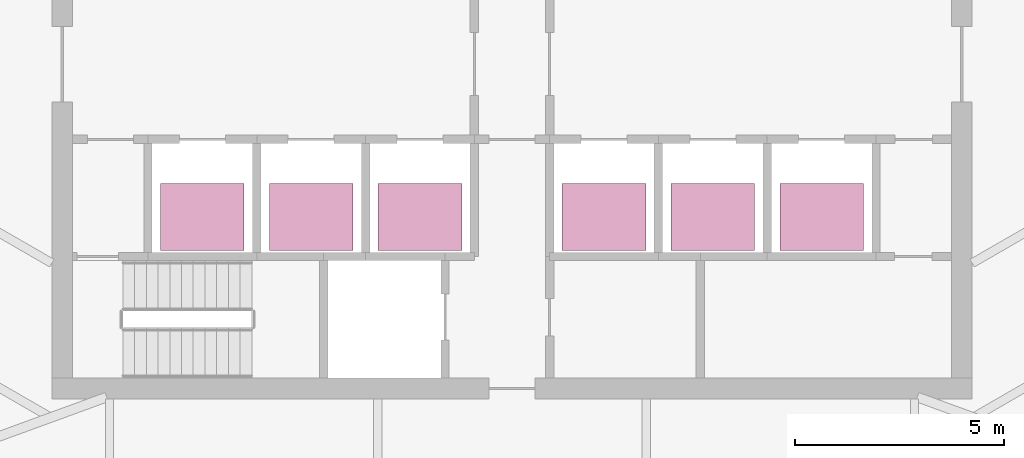
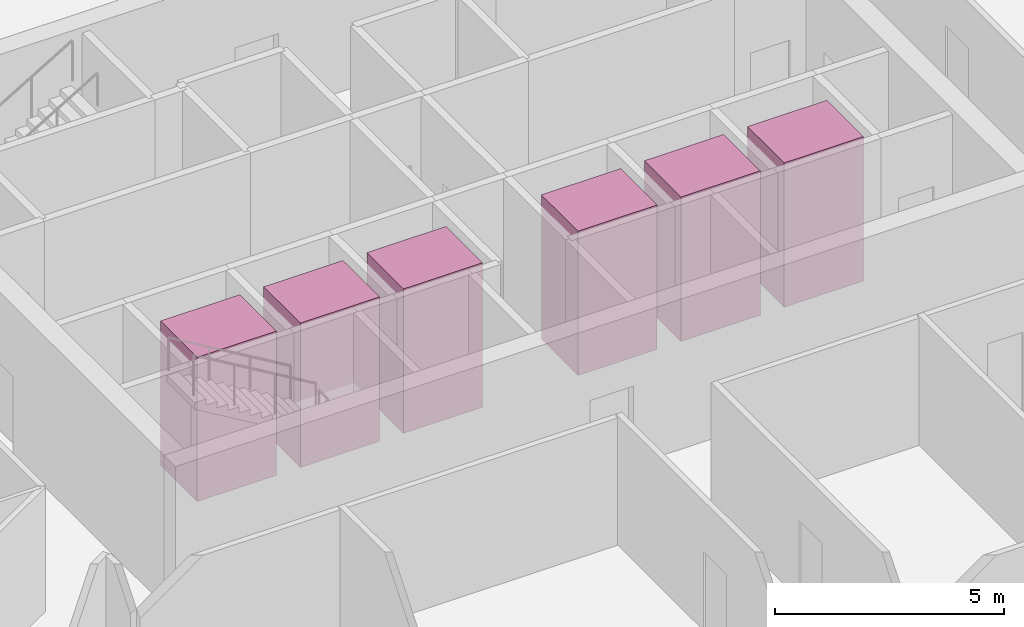
# One storey, part 15 of 15: 6 transport elements.
"""IFC4 building model written with IfcOpenShell, lengths in metres."""

from ifc_helpers import new_model, si_unit, direction, frame, origin, origin_2d, place, context, subcontext, project, spatial, rectangle, extrude, material, type_object, element, save


model = new_model("IFC4")

# Units and contexts
model_context = context("Model", 3, precision=1e-05, world=origin(), true_north=direction((0.0, 1.0)))
body_context = subcontext(model_context, "Body", "Model", "MODEL_VIEW")
ifc_project = project(units=[si_unit("LENGTHUNIT", "METRE"), si_unit("AREAUNIT", "SQUARE_METRE"), si_unit("VOLUMEUNIT", "CUBIC_METRE"), si_unit("PLANEANGLEUNIT", "RADIAN"), si_unit("MASSUNIT", "GRAM", prefix="KILO")], contexts=[model_context])

# Site, building, storey
site_placement = place(None, origin())
site = spatial("IfcSite", under=ifc_project, at=site_placement, CompositionType="ELEMENT")
building_placement = place(site_placement, origin())
building = spatial("IfcBuilding", under=site, at=building_placement, Name="Sierra Prisma Convention Tower", CompositionType="ELEMENT")
storey_placement = place(building_placement, frame((0.0, 0.0, 283.0)))
storey = spatial("IfcBuildingStorey", under=building, at=storey_placement, Name="L64", CompositionType="ELEMENT", Elevation=283.0)

# Transport elements
ifc_material = material(Name="Stainless steel", Category="steel")
transport_element_type = type_object("IfcTransportElementType", Name="Lift car office high 2000x1600 1600 kg", PredefinedType="ELEVATOR", material=ifc_material)
for number, where, z_axis, x_axis, name in (
    (1, (-7.39990234375, -3.64990234375, 0.0), (0.0, 0.0, 1.0), (1.0, 0.0, 0.0), "Lift OH1"),
    (2, (-4.800048828125, -3.64990234375, 0.0), (0.0, 0.0, 1.0), (1.0, 0.0, 0.0), "Lift OH2"),
    (3, (-2.199951171875, -3.64990234375, 0.0), (0.0, 0.0, 1.0), (1.0, 0.0, 0.0), "Lift OH3"),
    (4, (2.199951171875, -3.64990234375, 0.0), (0.0, 0.0, 1.0), (1.0, 0.0, 0.0), "Lift OH4"),
    (5, (4.800048828125, -3.64990234375, 0.0), (0.0, 0.0, 1.0), (1.0, 0.0, 0.0), "Lift OH5"),
    (6, (7.39990234375, -3.64990234375, 0.0), (0.0, 0.0, 1.0), (1.0, 0.0, 0.0), "Lift OH6"),
):
    element("IfcTransportElement", number, at=place(storey_placement, frame(where, z_axis=z_axis, x_axis=x_axis)), inside=storey, type_object=transport_element_type, Name=name, PredefinedType="ELEVATOR", context=body_context, shape_type="SweptSolid", body=[
        extrude(rectangle(XDim=2.0, YDim=1.60009765625, at=origin_2d()), origin(), (0.0, 0.0, 1.0), 3.85009765625),
    ])

save(model, "model.ifc")
